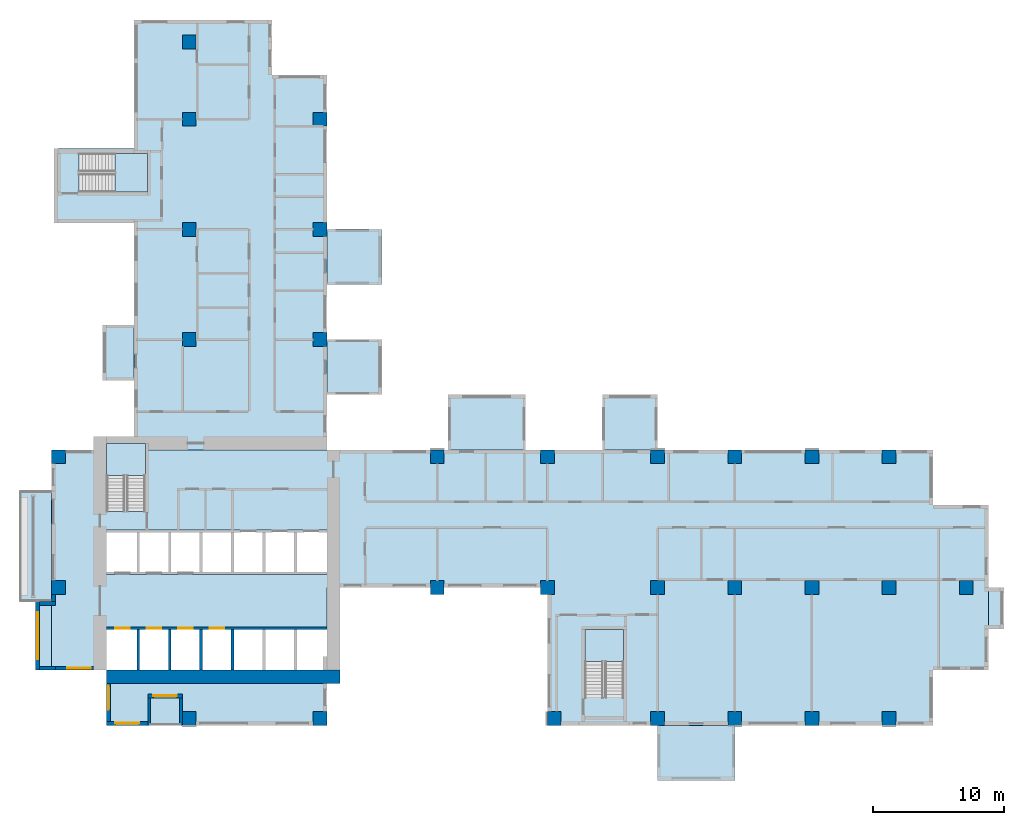
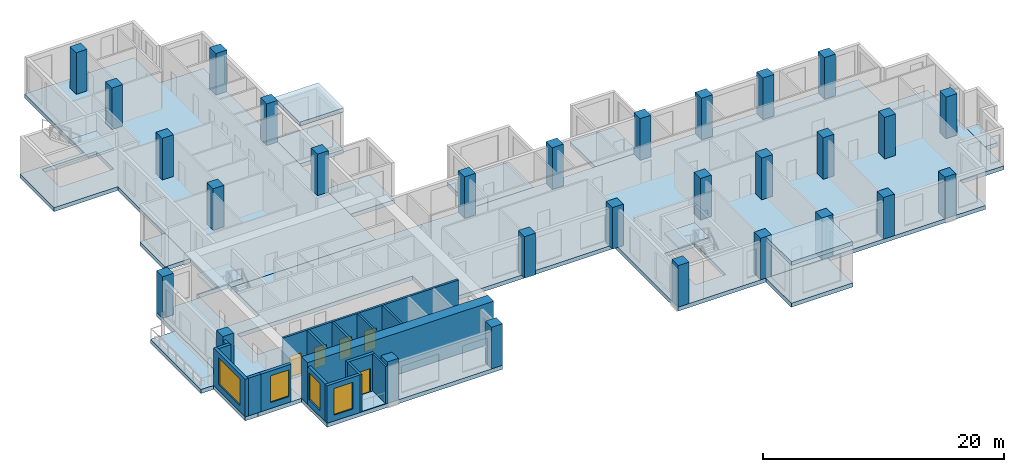
# One storey, part 1 of 14: 29 columns, 17 slabs, 16 walls, 5 doors, 4 windows, 9 openings, 3 elements without a shape of their own.
"""IFC4 building model written with IfcOpenShell, lengths in metres."""

from ifc_helpers import new_model, si_unit, direction, frame, frame_2d, origin, origin_2d, place, context, subcontext, project, spatial, polyline, rectangle, outline, extrude, source, transform, mapped, material, layer, layer_set, material_profile, profile_set, type_object, element, fill, aggregate, save


model = new_model("IFC4")

# Units and contexts
model_context = context("Model", 3, precision=1e-05, world=origin(), true_north=direction((0.0, 1.0)))
body_context = subcontext(model_context, "Body", "Model", "MODEL_VIEW")
ifc_project = project(units=[si_unit("LENGTHUNIT", "METRE"), si_unit("AREAUNIT", "SQUARE_METRE"), si_unit("VOLUMEUNIT", "CUBIC_METRE"), si_unit("PLANEANGLEUNIT", "RADIAN"), si_unit("MASSUNIT", "GRAM", prefix="KILO")], contexts=[model_context])

# Site, building, storey
site_placement = place(None, origin())
site = spatial("IfcSite", under=ifc_project, at=site_placement, CompositionType="ELEMENT")
building_placement = place(site_placement, origin())
building = spatial("IfcBuilding", under=site, at=building_placement, Name="Aurelian Terraces", CompositionType="ELEMENT")
storey_placement = place(building_placement, frame((0.0, 0.0, 149.7)))
storey = spatial("IfcBuildingStorey", under=building, at=storey_placement, Name="L33", CompositionType="ELEMENT", Elevation=149.7)

# Columns
ifc_material_1 = material(Name="Concrete fc' 83 MPa", Category="concrete")
ifc_material_profile = material_profile(ifc_material_1, rectangle(XDim=1.05, YDim=1.05, at=origin_2d()))
ifc_profile_set = profile_set([ifc_material_profile], Name="Concrete fc' 83 MPa")
column_type = type_object("IfcColumnType", Name="RC COLUMN 1050X1050 FC83", PredefinedType="COLUMN", material=ifc_profile_set)
shared_shape_1 = source(origin(), body_context, "Body", "SweptSolid", [
    extrude(rectangle(XDim=1.05, YDim=1.05, at=origin_2d()), origin(), (0.0, 0.0, 1.0), 4.2),
])
for number, where, z_axis, x_axis, name in (
    (1, (10.5, 0.525, 0.0), (0.0, 0.0, 1.0), (1.0, 0.0, 0.0), "Column 2/A L33"),
    (2, (20.475, 0.525, 0.0), (0.0, 0.0, 1.0), (1.0, 0.0, 0.0), "Column 3/A L33"),
    (3, (38.325, 0.525, 0.0), (0.0, 0.0, 1.0), (1.0, 0.0, 0.0), "Column 5/A L33"),
    (4, (46.2, 0.525, 0.0), (0.0, 0.0, 1.0), (1.0, 0.0, 0.0), "Column 6/A L33"),
    (5, (52.08, 0.525, 0.0), (0.0, 0.0, 1.0), (1.0, 0.0, 0.0), "Column 7/A L33"),
    (6, (57.96, 0.525, 0.0), (0.0, 0.0, 1.0), (1.0, 0.0, 0.0), "Column 8/A L33"),
    (7, (63.84, 0.525, 0.0), (0.0, 0.0, 1.0), (1.0, 0.0, 0.0), "Column 9/A L33"),
    (8, (0.525, 10.5, 0.0), (0.0, 0.0, 1.0), (1.0, 0.0, 0.0), "Column 1/B L33"),
    (9, (29.4, 10.5, 0.0), (0.0, 0.0, 1.0), (1.0, 0.0, 0.0), "Column 4/B L33"),
    (10, (37.8, 10.5, 0.0), (0.0, 0.0, 1.0), (1.0, 0.0, 0.0), "Column 5/B L33"),
    (11, (46.2, 10.5, 0.0), (0.0, 0.0, 1.0), (1.0, 0.0, 0.0), "Column 6/B L33"),
    (12, (52.08, 10.5, 0.0), (0.0, 0.0, 1.0), (1.0, 0.0, 0.0), "Column 7/B L33"),
    (13, (57.96, 10.5, 0.0), (0.0, 0.0, 1.0), (1.0, 0.0, 0.0), "Column 8/B L33"),
    (14, (63.84, 10.5, 0.0), (0.0, 0.0, 1.0), (1.0, 0.0, 0.0), "Column 9/B L33"),
    (15, (69.72, 10.5, 0.0), (0.0, 0.0, 1.0), (1.0, 0.0, 0.0), "Column 10/B L33"),
    (16, (0.525, 20.475, 0.0), (0.0, 0.0, 1.0), (1.0, 0.0, 0.0), "Column 1/C L33"),
    (17, (29.4, 20.475, 0.0), (0.0, 0.0, 1.0), (1.0, 0.0, 0.0), "Column 4/C L33"),
    (18, (37.8, 20.475, 0.0), (0.0, 0.0, 1.0), (1.0, 0.0, 0.0), "Column 5/C L33"),
    (19, (46.2, 20.475, 0.0), (0.0, 0.0, 1.0), (1.0, 0.0, 0.0), "Column 6/C L33"),
    (20, (52.08, 20.475, 0.0), (0.0, 0.0, 1.0), (1.0, 0.0, 0.0), "Column 7/C L33"),
    (21, (57.96, 20.475, 0.0), (0.0, 0.0, 1.0), (1.0, 0.0, 0.0), "Column 8/C L33"),
    (22, (63.84, 20.475, 0.0), (0.0, 0.0, 1.0), (1.0, 0.0, 0.0), "Column 9/C L33"),
    (23, (10.5, 29.4, 0.0), (0.0, 0.0, 1.0), (1.0, 0.0, 0.0), "Column 2/D L33"),
    (24, (20.475, 29.4, 0.0), (0.0, 0.0, 1.0), (1.0, 0.0, 0.0), "Column 3/D L33"),
    (25, (10.5, 37.8, 0.0), (0.0, 0.0, 1.0), (1.0, 0.0, 0.0), "Column 2/E L33"),
    (26, (20.475, 37.8, 0.0), (0.0, 0.0, 1.0), (1.0, 0.0, 0.0), "Column 3/E L33"),
    (27, (10.5, 46.2, 0.0), (0.0, 0.0, 1.0), (1.0, 0.0, 0.0), "Column 2/F L33"),
    (28, (20.475, 46.2, 0.0), (0.0, 0.0, 1.0), (1.0, 0.0, 0.0), "Column 3/F L33"),
    (29, (10.5, 52.08, 0.0), (0.0, 0.0, 1.0), (1.0, 0.0, 0.0), "Column 2/G L33"),
):
    element("IfcColumn", number, at=place(storey_placement, frame(where, z_axis=z_axis, x_axis=x_axis)), inside=storey, type_object=column_type, Name=name, PredefinedType="COLUMN", context=body_context, shape_type="MappedRepresentation", body=[
        mapped(shared_shape_1, transform((0.0, 0.0, 0.0), scale=1.0)),
    ])

# Slabs
ifc_material_2 = material(Name="Concrete fc' 40 MPa", Category="concrete")
ifc_layer_1 = layer(ifc_material_2, 0.41)
ifc_layer_set_1 = layer_set([ifc_layer_1], Name="Box floor 410")
slab_type_1 = type_object("IfcSlabType", Name="Box floor 410", PredefinedType="NOTDEFINED", material=ifc_layer_set_1)
slab_1_placement = place(storey_placement, frame((0.0, 0.0, -0.41)))
element("IfcSlab", 30, at=slab_1_placement, inside=storey, type_object=slab_type_1, Name="Box floor L33 J50", PredefinedType="NOTDEFINED", context=body_context, shape_type="SweptSolid", body=[
    extrude(outline(polyline([(3.9, 30.5), (3.9, 26.3), (6.3, 26.3), (6.3, 30.5), (3.9, 30.5)])), origin(), (0.0, 0.0, 1.0), 0.41),
])
ifc_layer_2 = layer(ifc_material_2, 0.4)
ifc_layer_set_2 = layer_set([ifc_layer_2], Name="PT FLAT PLATE 400")
slab_type_2 = type_object("IfcSlabType", Name="PT FLAT PLATE 400", PredefinedType="FLOOR", material=ifc_layer_set_2)
shared_shape_2 = source(origin(), body_context, "Body", "SweptSolid", [
    extrude(outline(polyline([(71.4, 16.8), (71.4, 4.2), (67.2, 4.2), (67.2, 0.0), (37.8, 0.0), (37.8, 10.5), (21.0, 10.5), (21.0, 0.0), (4.2, 0.0), (4.2, 4.2), (0.0, 4.2), (0.0, 21.0), (4.21, 21.0), (4.21, 16.31), (7.14, 16.31), (7.14, 21.0), (21.0, 21.0), (67.2, 21.0), (67.2, 16.8), (71.4, 16.8)]), holes=[polyline([(40.66, 2.11), (43.59, 2.11), (43.59, 7.29), (40.66, 7.29), (40.66, 2.11)]), polyline([(4.21, 7.49), (4.21, 4.21), (20.99, 4.21), (20.99, 7.49), (4.21, 7.49)]), polyline([(4.21, 14.89), (4.21, 11.51), (20.99, 11.51), (20.99, 14.89), (4.21, 14.89)])]), origin(), (0.0, 0.0, 1.0), 0.4),
])
slab_2_placement = place(storey_placement, frame((0.0, 0.0, -0.4)))
element("IfcSlab", 31, at=slab_2_placement, inside=storey, type_object=slab_type_2, Name="Floor slab S L33", PredefinedType="FLOOR", context=body_context, shape_type="MappedRepresentation", body=[
    mapped(shared_shape_2, transform((0.0, 0.0, 0.0), scale=1.0)),
])
shared_shape_3 = source(origin(), body_context, "Body", "SweptSolid", [
    extrude(outline(polyline([(0.2, 43.95), (6.3, 43.95), (6.3, 49.56), (6.3, 53.76), (10.5, 53.76), (16.8, 53.76), (16.8, 49.56), (21.0, 49.56), (21.0, 21.0), (7.14, 21.0), (7.14, 21.49), (4.21, 21.49), (4.21, 21.0), (4.2, 21.0), (4.2, 21.6), (6.3, 21.6), (6.3, 38.3), (0.2, 38.3), (0.2, 43.95)]), holes=[polyline([(7.29, 43.59), (2.11, 43.59), (2.11, 40.66), (7.29, 40.66), (7.29, 43.59)])]), origin(), (0.0, 0.0, 1.0), 0.4),
])
slab_3_placement = place(storey_placement, frame((0.0, 0.0, -0.4)))
element("IfcSlab", 32, at=slab_3_placement, inside=storey, type_object=slab_type_2, Name="Floor slab W L33", PredefinedType="FLOOR", context=body_context, shape_type="MappedRepresentation", body=[
    mapped(shared_shape_3, transform((0.0, 0.0, 0.0), scale=1.0)),
])
shared_shape_4 = source(origin(), body_context, "Body", "SweptSolid", [
    extrude(outline(polyline([(46.2, -4.2), (52.08, -4.2), (52.08, 0.0), (46.2, 0.0), (46.2, -4.2)])), origin(), (0.0, 0.0, 1.0), 0.41),
])
slab_4_placement = place(storey_placement, frame((0.0, 0.0, -0.41)))
element("IfcSlab", 33, at=slab_4_placement, inside=storey, type_object=slab_type_1, Name="Box floor L33 J45", PredefinedType="NOTDEFINED", context=body_context, shape_type="MappedRepresentation", body=[
    mapped(shared_shape_4, transform((0.0, 0.0, 0.0), scale=1.0)),
])
ifc_layer_3 = layer(ifc_material_2, 0.4)
ifc_layer_set_3 = layer_set([ifc_layer_3], Name="Bay floor 400")
slab_type_3 = type_object("IfcSlabType", Name="Bay floor 400", PredefinedType="NOTDEFINED", material=ifc_layer_set_3)
shared_shape_5 = source(origin(), body_context, "Body", "SweptSolid", [
    extrude(outline(polyline([(71.4, 7.35), (71.4, 10.5), (72.6, 10.5), (72.6, 7.35), (71.4, 7.35)])), origin(), (0.0, 0.0, 1.0), 0.4),
])
slab_5_placement = place(storey_placement, frame((0.0, 0.0, -0.4)))
element("IfcSlab", 34, at=slab_5_placement, inside=storey, type_object=slab_type_3, Name="Bay floor L33 F08.18", PredefinedType="NOTDEFINED", context=body_context, shape_type="MappedRepresentation", body=[
    mapped(shared_shape_5, transform((0.0, 0.0, 0.0), scale=1.0)),
])
shared_shape_6 = source(origin(), body_context, "Body", "SweptSolid", [
    extrude(outline(polyline([(36.12, 25.2), (30.24, 25.2), (30.24, 21.0), (36.12, 21.0), (36.12, 25.2)])), origin(), (0.0, 0.0, 1.0), 0.41),
])
slab_6_placement = place(storey_placement, frame((0.0, 0.0, -0.41)))
element("IfcSlab", 35, at=slab_6_placement, inside=storey, type_object=slab_type_1, Name="Box floor L33 J47", PredefinedType="NOTDEFINED", context=body_context, shape_type="MappedRepresentation", body=[
    mapped(shared_shape_6, transform((0.0, 0.0, 0.0), scale=1.0)),
])
ifc_layer_4 = layer(ifc_material_2, 0.4)
ifc_layer_set_4 = layer_set([ifc_layer_4], Name="Box roof 400")
slab_type_4 = type_object("IfcSlabType", Name="Box roof 400", PredefinedType="ROOF", material=ifc_layer_set_4)
shared_shape_7 = source(origin(), body_context, "Body", "SweptSolid", [
    extrude(outline(polyline([(46.2, -4.2), (52.08, -4.2), (52.08, 0.0), (46.2, 0.0), (46.2, -4.2)])), origin(), (0.0, 0.0, 1.0), 0.4),
])
slab_7_placement = place(storey_placement, frame((0.0, 0.0, 3.8)))
element("IfcSlab", 36, at=slab_7_placement, inside=storey, type_object=slab_type_4, Name="Box roof J45", PredefinedType="ROOF", context=body_context, shape_type="MappedRepresentation", body=[
    mapped(shared_shape_7, transform((0.0, 0.0, 0.0), scale=1.0)),
])
shared_shape_8 = source(origin(), body_context, "Body", "SweptSolid", [
    extrude(outline(polyline([(25.2, 25.2), (25.2, 29.4), (21.0, 29.4), (21.0, 25.2), (25.2, 25.2)])), origin(), (0.0, 0.0, 1.0), 0.41),
])
slab_8_placement = place(storey_placement, frame((0.0, 0.0, -0.41)))
element("IfcSlab", 37, at=slab_8_placement, inside=storey, type_object=slab_type_1, Name="Box floor L33 J49", PredefinedType="NOTDEFINED", context=body_context, shape_type="MappedRepresentation", body=[
    mapped(shared_shape_8, transform((0.0, 0.0, 0.0), scale=1.0)),
])
shared_shape_9 = source(origin(), body_context, "Body", "SweptSolid", [
    extrude(outline(polyline([(25.2, 33.6), (25.2, 37.8), (21.0, 37.8), (21.0, 33.6), (25.2, 33.6)])), origin(), (0.0, 0.0, 1.0), 0.41),
])
slab_9_placement = place(storey_placement, frame((0.0, 0.0, -0.41)))
element("IfcSlab", 38, at=slab_9_placement, inside=storey, type_object=slab_type_1, Name="Box floor L33 J46", PredefinedType="NOTDEFINED", context=body_context, shape_type="MappedRepresentation", body=[
    mapped(shared_shape_9, transform((0.0, 0.0, 0.0), scale=1.0)),
])
shared_shape_10 = source(origin(), body_context, "Body", "SweptSolid", [
    extrude(outline(polyline([(46.2, 25.2), (42.0, 25.2), (42.0, 21.0), (46.2, 21.0), (46.2, 25.2)])), origin(), (0.0, 0.0, 1.0), 0.41),
])
slab_10_placement = place(storey_placement, frame((0.0, 0.0, -0.41)))
element("IfcSlab", 39, at=slab_10_placement, inside=storey, type_object=slab_type_1, Name="Box floor L33 J48", PredefinedType="NOTDEFINED", context=body_context, shape_type="MappedRepresentation", body=[
    mapped(shared_shape_10, transform((0.0, 0.0, 0.0), scale=1.0)),
])
shared_shape_11 = source(origin(), body_context, "Body", "SweptSolid", [
    extrude(outline(polyline([(25.2, 33.6), (25.2, 37.8), (21.0, 37.8), (21.0, 33.6), (25.2, 33.6)])), origin(), (0.0, 0.0, 1.0), 0.4),
])
slab_11_placement = place(storey_placement, frame((0.0, 0.0, 3.8)))
element("IfcSlab", 40, at=slab_11_placement, inside=storey, type_object=slab_type_4, Name="Box roof J46", PredefinedType="ROOF", context=body_context, shape_type="MappedRepresentation", body=[
    mapped(shared_shape_11, transform((0.0, 0.0, 0.0), scale=1.0)),
])
ifc_layer_5 = layer(ifc_material_2, 0.4)
ifc_layer_set_5 = layer_set([ifc_layer_5], Name="Balcony slab 400")
slab_type_5 = type_object("IfcSlabType", Name="Balcony slab 400", PredefinedType="NOTDEFINED", material=ifc_layer_set_5)
shared_shape_12 = source(origin(), body_context, "Body", "SweptSolid", [
    extrude(outline(polyline([(0.0, 17.85), (0.0, 9.45), (-2.4, 9.45), (-2.4, 17.85), (0.0, 17.85)])), origin(), (0.0, 0.0, 1.0), 0.4),
])
slab_12_placement = place(storey_placement, frame((0.0, 0.0, -0.4)))
element("IfcSlab", 41, at=slab_12_placement, inside=storey, type_object=slab_type_5, Name="Balcony slab L33 F24.41", PredefinedType="NOTDEFINED", context=body_context, shape_type="MappedRepresentation", body=[
    mapped(shared_shape_12, transform((0.0, 0.0, 0.0), scale=1.0)),
])
shared_shape_13 = source(origin(), body_context, "Body", "SweptSolid", [
    extrude(outline(polyline([(0.0, 9.45), (0.0, 4.2), (-1.2, 4.2), (-1.2, 9.45), (0.0, 9.45)])), origin(), (0.0, 0.0, 1.0), 0.4),
])
slab_13_placement = place(storey_placement, frame((0.0, 0.0, -0.4)))
element("IfcSlab", 42, at=slab_13_placement, inside=storey, type_object=slab_type_3, Name="Bay floor L33 F24.42", PredefinedType="NOTDEFINED", context=body_context, shape_type="MappedRepresentation", body=[
    mapped(shared_shape_13, transform((0.0, 0.0, 0.0), scale=1.0)),
])
ifc_material_3 = material(Name="Granite paving", Category="masonry")
ifc_layer_6 = layer(ifc_material_3, 0.05)
ifc_layer_set_6 = layer_set([ifc_layer_6], Name="Loggia paving 50")
slab_type_6 = type_object("IfcSlabType", Name="Loggia paving 50", PredefinedType="NOTDEFINED", material=ifc_layer_set_6)
shared_shape_14 = source(origin(), body_context, "Body", "SweptSolid", [
    extrude(outline(polyline([(7.55, 0.0), (9.775, 0.0), (9.775, 2.1), (7.55, 2.1), (7.55, 0.0)])), origin(), (0.0, 0.0, 1.0), 0.05),
])
slab_14_placement = place(storey_placement, origin())
element("IfcSlab", 43, at=slab_14_placement, inside=storey, type_object=slab_type_6, Name="Loggia floor L33 F01.2", PredefinedType="NOTDEFINED", context=body_context, shape_type="MappedRepresentation", body=[
    mapped(shared_shape_14, transform((0.0, 0.0, 0.0), scale=1.0)),
])

# Stair, slab
stair_type = type_object("IfcStairType", Name="Stair 1400", PredefinedType="HALF_TURN_STAIR", material=ifc_material_2)
stair_1_placement = place(storey_placement, origin())
stair_1 = element("IfcStair", 44, at=stair_1_placement, inside=storey, type_object=stair_type, Name="L33 S1", PredefinedType="HALF_TURN_STAIR")
ifc_layer_7 = layer(ifc_material_2, 0.2)
ifc_layer_set_7 = layer_set([ifc_layer_7], Name="Stair landing 200")
slab_type_7 = type_object("IfcSlabType", Name="Stair landing 200", PredefinedType="LANDING", material=ifc_layer_set_7)
shared_shape_15 = source(origin(), body_context, "Body", "SweptSolid", [
    extrude(outline(polyline([(7.15, 19.05), (7.15, 21.5), (4.2, 21.5), (4.2, 19.05), (7.15, 19.05)])), origin(), (0.0, 0.0, 1.0), 0.2),
])
slab_15_placement = place(storey_placement, frame((0.0, 0.0, 1.9)))
slab_15 = element("IfcSlab", 45, at=slab_15_placement, type_object=slab_type_7, Name="S1 landing 1", PredefinedType="LANDING", context=body_context, shape_type="MappedRepresentation", body=[
    mapped(shared_shape_15, transform((0.0, 0.0, 0.0), scale=1.0)),
])
aggregate(stair_1, [slab_15])

stair_2_placement = place(storey_placement, origin())
stair_2 = element("IfcStair", 46, at=stair_2_placement, inside=storey, type_object=stair_type, Name="L33 S2", PredefinedType="HALF_TURN_STAIR")
shared_shape_16 = source(origin(), body_context, "Body", "SweptSolid", [
    extrude(outline(polyline([(43.6, 4.85), (43.6, 7.3), (40.65, 7.3), (40.65, 4.85), (43.6, 4.85)])), origin(), (0.0, 0.0, 1.0), 0.2),
])
slab_16_placement = place(storey_placement, frame((0.0, 0.0, 1.9)))
slab_16 = element("IfcSlab", 47, at=slab_16_placement, type_object=slab_type_7, Name="S2 landing 1", PredefinedType="LANDING", context=body_context, shape_type="MappedRepresentation", body=[
    mapped(shared_shape_16, transform((0.0, 0.0, 0.0), scale=1.0)),
])
aggregate(stair_2, [slab_16])

stair_3_placement = place(storey_placement, origin())
stair_3 = element("IfcStair", 48, at=stair_3_placement, inside=storey, type_object=stair_type, Name="L33 S3", PredefinedType="HALF_TURN_STAIR")
shared_shape_17 = source(origin(), body_context, "Body", "SweptSolid", [
    extrude(outline(polyline([(4.85, 40.65), (7.3, 40.65), (7.3, 43.6), (4.85, 43.6), (4.85, 40.65)])), origin(), (0.0, 0.0, 1.0), 0.2),
])
slab_17_placement = place(storey_placement, frame((0.0, 0.0, 1.9)))
slab_17 = element("IfcSlab", 49, at=slab_17_placement, type_object=slab_type_7, Name="S3 landing 1", PredefinedType="LANDING", context=body_context, shape_type="MappedRepresentation", body=[
    mapped(shared_shape_17, transform((0.0, 0.0, 0.0), scale=1.0)),
])
aggregate(stair_3, [slab_17])

# Wall
ifc_layer_8 = layer(ifc_material_1, 1.0)
ifc_layer_set_8 = layer_set([ifc_layer_8], Name="CORE WALL 1000 FC83")
wall_type_1 = type_object("IfcWallType", Name="CORE WALL 1000 FC83", PredefinedType="SHEAR", material=ifc_layer_set_8)
shared_shape_18 = source(origin(), body_context, "Body", "SweptSolid", [
    extrude(rectangle(XDim=17.8, YDim=1.0, at=frame_2d((8.9, 0.0))), origin(), (0.0, 0.0, 1.0), 4.2),
])
wall_1_placement = place(storey_placement, frame((4.2, 3.7, 0.0), z_axis=(0.0, 0.0, 1.0), x_axis=(1.0, 0.0, 0.0)))
element("IfcWall", 50, at=wall_1_placement, inside=storey, type_object=wall_type_1, Name="Core wall S L33", PredefinedType="SHEAR", context=body_context, shape_type="MappedRepresentation", body=[
    mapped(shared_shape_18, transform((0.0, 0.0, 0.0), scale=1.0)),
])

# Wall, opening, window
ifc_material_4 = material(Name="Terracotta rainscreen cladding", Category="masonry")
ifc_layer_9 = layer(ifc_material_4, 0.3)
ifc_layer_set_9 = layer_set([ifc_layer_9], Name="EW-300")
wall_type_2 = type_object("IfcWallType", Name="EW-300", PredefinedType="STANDARD", material=ifc_layer_set_9)
shared_shape_19 = source(origin(), body_context, "Body", "SweptSolid", [
    extrude(rectangle(XDim=3.15, YDim=0.3, at=frame_2d((1.575, 0.0))), origin(), (0.0, 0.0, 1.0), 3.8),
])
wall_2_placement = place(storey_placement, frame((4.2, 0.15, 0.0), z_axis=(0.0, 0.0, 1.0), x_axis=(1.0, 0.0, 0.0)))
wall_2 = element("IfcWall", 51, at=wall_2_placement, inside=storey, type_object=wall_type_2, Name="External wall L33 F01.1", PredefinedType="STANDARD", context=body_context, shape_type="MappedRepresentation", body=[
    mapped(shared_shape_19, transform((0.0, 0.0, 0.0), scale=1.0)),
])
shared_shape_20 = source(origin(), body_context, "Body", "SweptSolid", [
    extrude(rectangle(XDim=1.8, YDim=2.7, at=frame_2d((0.9, 1.35))), frame((0.0, 0.16, 0.0), z_axis=(0.0, -1.0, 0.0), x_axis=(1.0, 0.0, 0.0)), (0.0, 0.0, 1.0), 0.32),
])
opening_1_placement = place(wall_2_placement, frame((0.675, 0.0, 0.6)))
opening_1 = element("IfcOpeningElement", 52, at=opening_1_placement, cuts=wall_2, Name="Opening W1827", PredefinedType="OPENING", context=body_context, shape_type="MappedRepresentation", body=[
    mapped(shared_shape_20, transform((0.0, 0.0, 0.0), scale=1.0)),
])
ifc_material_5 = material(Name="Clear glazing", Category="glass")
window_type_1 = type_object("IfcWindowType", Name="W-1800x2700", PartitioningType="SINGLE_PANEL", PredefinedType="WINDOW", material=ifc_material_5)
shared_shape_21 = source(origin(), body_context, "Body", "SweptSolid", [
    extrude(rectangle(XDim=1.8, YDim=2.7, at=frame_2d((0.9, 1.35))), frame((0.0, 0.03, 0.0), z_axis=(0.0, -1.0, 0.0), x_axis=(1.0, 0.0, 0.0)), (0.0, 0.0, 1.0), 0.06),
])
window_1_placement = place(opening_1_placement, origin())
window_1 = element("IfcWindow", 53, at=window_1_placement, inside=storey, type_object=window_type_1, Name="Window L33 L33-F01-01-0", OverallHeight=2.7, OverallWidth=1.8, PartitioningType="SINGLE_PANEL", PredefinedType="WINDOW", context=body_context, shape_type="MappedRepresentation", body=[
    mapped(shared_shape_21, transform((0.0, 0.0, 0.0), scale=1.0)),
])
fill(opening_1, window_1)

# Walls
shared_shape_22 = source(origin(), body_context, "Body", "SweptSolid", [
    extrude(rectangle(XDim=1.2, YDim=0.3, at=frame_2d((0.6, 0.0))), origin(), (0.0, 0.0, 1.0), 3.8),
])
for number, where, z_axis, x_axis, name in (
    (54, (0.3, 9.3, 0.0), (0.0, 0.0, 1.0), (-1.0, 0.0, 0.0), "Bay return L33 F24.42.1"),
    (55, (0.3, 4.35, 0.0), (0.0, 0.0, 1.0), (-1.0, 0.0, 0.0), "Bay return L33 F24.42.2"),
):
    element("IfcWall", number, at=place(storey_placement, frame(where, z_axis=z_axis, x_axis=x_axis)), inside=storey, type_object=wall_type_2, Name=name, PredefinedType="STANDARD", context=body_context, shape_type="MappedRepresentation", body=[
        mapped(shared_shape_22, transform((0.0, 0.0, 0.0), scale=1.0)),
    ])
ifc_layer_10 = layer(ifc_material_4, 0.2)
ifc_layer_set_10 = layer_set([ifc_layer_10], Name="EW-200")
wall_type_3 = type_object("IfcWallType", Name="EW-200", PredefinedType="STANDARD", material=ifc_layer_set_10)
shared_shape_23 = source(origin(), body_context, "Body", "SweptSolid", [
    extrude(rectangle(XDim=2.1, YDim=0.2, at=frame_2d((1.05, 0.0))), origin(), (0.0, 0.0, 1.0), 3.8),
])
for number, where, z_axis, x_axis, name in (
    (56, (7.45, 0.0, 0.0), (0.0, 0.0, 1.0), (0.0, 1.0, 0.0), "Loggia return L33 F01.2.1"),
    (57, (9.875, 0.0, 0.0), (0.0, 0.0, 1.0), (0.0, 1.0, 0.0), "Loggia return L33 F01.2.2"),
):
    element("IfcWall", number, at=place(storey_placement, frame(where, z_axis=z_axis, x_axis=x_axis)), inside=storey, type_object=wall_type_3, Name=name, PredefinedType="STANDARD", context=body_context, shape_type="MappedRepresentation", body=[
        mapped(shared_shape_23, transform((0.0, 0.0, 0.0), scale=1.0)),
    ])

# Wall, opening, window
shared_shape_24 = source(origin(), body_context, "Body", "SweptSolid", [
    extrude(rectangle(XDim=3.2, YDim=0.3, at=frame_2d((1.6, 0.0))), origin(), (0.0, 0.0, 1.0), 3.8),
])
wall_3_placement = place(storey_placement, frame((0.0, 4.35, 0.0), z_axis=(0.0, 0.0, 1.0), x_axis=(1.0, 0.0, 0.0)))
wall_3 = element("IfcWall", 58, at=wall_3_placement, inside=storey, type_object=wall_type_2, Name="External wall L33 F25.43", PredefinedType="STANDARD", context=body_context, shape_type="MappedRepresentation", body=[
    mapped(shared_shape_24, transform((0.0, 0.0, 0.0), scale=1.0)),
])
opening_2_placement = place(wall_3_placement, frame((1.2, 0.0, 0.6)))
opening_2 = element("IfcOpeningElement", 59, at=opening_2_placement, cuts=wall_3, Name="Opening W1827", PredefinedType="OPENING", context=body_context, shape_type="MappedRepresentation", body=[
    mapped(shared_shape_20, transform((0.0, 0.0, 0.0), scale=1.0)),
])
window_2_placement = place(opening_2_placement, origin())
window_2 = element("IfcWindow", 60, at=window_2_placement, inside=storey, type_object=window_type_1, Name="Window L33 L33-F25-43-0", OverallHeight=2.7, OverallWidth=1.8, PartitioningType="SINGLE_PANEL", PredefinedType="WINDOW", context=body_context, shape_type="MappedRepresentation", body=[
    mapped(shared_shape_21, transform((0.0, 0.0, 0.0), scale=1.0)),
])
fill(opening_2, window_2)

wall_4_placement = place(storey_placement, frame((4.35, 3.2, 0.0), z_axis=(0.0, 0.0, 1.0), x_axis=(0.0, -1.0, 0.0)))
wall_4 = element("IfcWall", 61, at=wall_4_placement, inside=storey, type_object=wall_type_2, Name="External wall L33 F26.44", PredefinedType="STANDARD", context=body_context, shape_type="MappedRepresentation", body=[
    mapped(shared_shape_24, transform((0.0, 0.0, 0.0), scale=1.0)),
])
opening_3_placement = place(wall_4_placement, frame((0.2, 0.0, 0.6)))
opening_3 = element("IfcOpeningElement", 62, at=opening_3_placement, cuts=wall_4, Name="Opening W1827", PredefinedType="OPENING", context=body_context, shape_type="MappedRepresentation", body=[
    mapped(shared_shape_20, transform((0.0, 0.0, 0.0), scale=1.0)),
])
window_3_placement = place(opening_3_placement, origin())
window_3 = element("IfcWindow", 63, at=window_3_placement, inside=storey, type_object=window_type_1, Name="Window L33 L33-F26-44-0", OverallHeight=2.7, OverallWidth=1.8, PartitioningType="SINGLE_PANEL", PredefinedType="WINDOW", context=body_context, shape_type="MappedRepresentation", body=[
    mapped(shared_shape_21, transform((0.0, 0.0, 0.0), scale=1.0)),
])
fill(opening_3, window_3)

shared_shape_25 = source(origin(), body_context, "Body", "SweptSolid", [
    extrude(rectangle(XDim=5.25, YDim=0.3, at=frame_2d((2.625, 0.0))), origin(), (0.0, 0.0, 1.0), 3.8),
])
wall_5_placement = place(storey_placement, frame((-1.05, 9.45, 0.0), z_axis=(0.0, 0.0, 1.0), x_axis=(0.0, -1.0, 0.0)))
wall_5 = element("IfcWall", 64, at=wall_5_placement, inside=storey, type_object=wall_type_2, Name="Bay wall L33 F24.42", PredefinedType="STANDARD", context=body_context, shape_type="MappedRepresentation", body=[
    mapped(shared_shape_25, transform((0.0, 0.0, 0.0), scale=1.0)),
])
shared_shape_26 = source(origin(), body_context, "Body", "SweptSolid", [
    extrude(rectangle(XDim=3.6, YDim=2.7, at=frame_2d((1.8, 1.35))), frame((0.0, 0.16, 0.0), z_axis=(0.0, -1.0, 0.0), x_axis=(1.0, 0.0, 0.0)), (0.0, 0.0, 1.0), 0.32),
])
opening_4_placement = place(wall_5_placement, frame((0.825, 0.0, 0.6)))
opening_4 = element("IfcOpeningElement", 65, at=opening_4_placement, cuts=wall_5, Name="Opening W3627", PredefinedType="OPENING", context=body_context, shape_type="MappedRepresentation", body=[
    mapped(shared_shape_26, transform((0.0, 0.0, 0.0), scale=1.0)),
])
window_type_2 = type_object("IfcWindowType", Name="W-3600x2700", PartitioningType="SINGLE_PANEL", PredefinedType="WINDOW", material=ifc_material_5)
shared_shape_27 = source(origin(), body_context, "Body", "SweptSolid", [
    extrude(rectangle(XDim=3.6, YDim=2.7, at=frame_2d((1.8, 1.35))), frame((0.0, 0.03, 0.0), z_axis=(0.0, -1.0, 0.0), x_axis=(1.0, 0.0, 0.0)), (0.0, 0.0, 1.0), 0.06),
])
window_4_placement = place(opening_4_placement, origin())
window_4 = element("IfcWindow", 66, at=window_4_placement, inside=storey, type_object=window_type_2, Name="Window L33 L33-F24-42-0", OverallHeight=2.7, OverallWidth=3.6, PartitioningType="SINGLE_PANEL", PredefinedType="WINDOW", context=body_context, shape_type="MappedRepresentation", body=[
    mapped(shared_shape_27, transform((0.0, 0.0, 0.0), scale=1.0)),
])
fill(opening_4, window_4)

# Wall, opening, door
shared_shape_28 = source(origin(), body_context, "Body", "SweptSolid", [
    extrude(rectangle(XDim=2.625, YDim=0.3, at=frame_2d((1.3125, 0.0))), origin(), (0.0, 0.0, 1.0), 3.8),
])
wall_6_placement = place(storey_placement, frame((7.35, 2.25, 0.0), z_axis=(0.0, 0.0, 1.0), x_axis=(1.0, 0.0, 0.0)))
wall_6 = element("IfcWall", 67, at=wall_6_placement, inside=storey, type_object=wall_type_2, Name="Loggia wall L33 F01.2", PredefinedType="STANDARD", context=body_context, shape_type="MappedRepresentation", body=[
    mapped(shared_shape_28, transform((0.0, 0.0, 0.0), scale=1.0)),
])
shared_shape_29 = source(origin(), body_context, "Body", "SweptSolid", [
    extrude(rectangle(XDim=1.8, YDim=2.4, at=frame_2d((0.9, 1.2))), frame((0.0, 0.16, 0.0), z_axis=(0.0, -1.0, 0.0), x_axis=(1.0, 0.0, 0.0)), (0.0, 0.0, 1.0), 0.32),
])
opening_5_placement = place(wall_6_placement, frame((0.4125, 0.0, 0.0)))
opening_5 = element("IfcOpeningElement", 68, at=opening_5_placement, cuts=wall_6, Name="Opening 83301", PredefinedType="OPENING", context=body_context, shape_type="MappedRepresentation", body=[
    mapped(shared_shape_29, transform((0.0, 0.0, 0.0), scale=1.0)),
])
door_type_1 = type_object("IfcDoorType", Name="BD-1800x2400", OperationType="SLIDING_TO_LEFT", PredefinedType="DOOR", material=ifc_material_5)
shared_shape_30 = source(origin(), body_context, "Body", "SweptSolid", [
    extrude(rectangle(XDim=1.8, YDim=2.4, at=frame_2d((0.9, 1.2))), frame((0.0, 0.025, 0.0), z_axis=(0.0, -1.0, 0.0), x_axis=(1.0, 0.0, 0.0)), (0.0, 0.0, 1.0), 0.05),
])
door_1_placement = place(opening_5_placement, origin())
door_1 = element("IfcDoor", 69, at=door_1_placement, inside=storey, type_object=door_type_1, Name="Balcony door L33 F01.2", OperationType="SLIDING_TO_LEFT", OverallHeight=2.4, OverallWidth=1.8, PredefinedType="DOOR", context=body_context, shape_type="MappedRepresentation", body=[
    mapped(shared_shape_30, transform((0.0, 0.0, 0.0), scale=1.0)),
])
fill(opening_5, door_1)

# Walls
shared_shape_31 = source(origin(), body_context, "Body", "SweptSolid", [
    extrude(rectangle(XDim=0.525, YDim=0.3, at=frame_2d((0.2625, 0.0))), origin(), (0.0, 0.0, 1.0), 3.8),
])
wall_7_placement = place(storey_placement, frame((0.15, 9.975, 0.0), z_axis=(0.0, 0.0, 1.0), x_axis=(0.0, -1.0, 0.0)))
element("IfcWall", 70, at=wall_7_placement, inside=storey, type_object=wall_type_2, Name="External wall L33 F24.41", PredefinedType="STANDARD", context=body_context, shape_type="MappedRepresentation", body=[
    mapped(shared_shape_31, transform((0.0, 0.0, 0.0), scale=1.0)),
])
ifc_layer_11 = layer(ifc_material_2, 0.2)
ifc_layer_set_11 = layer_set([ifc_layer_11], Name="Lift shaft wall 200")
wall_type_4 = type_object("IfcWallType", Name="Lift shaft wall 200", PredefinedType="SOLIDWALL", material=ifc_layer_set_11)
shared_shape_32 = source(origin(), body_context, "Body", "SweptSolid", [
    extrude(rectangle(XDim=3.1, YDim=0.2, at=frame_2d((1.55, 0.0))), origin(), (0.0, 0.0, 1.0), 4.2),
])
for number, where, z_axis, x_axis, name in (
    (71, (6.6, 4.2, 0.0), (0.0, 0.0, 1.0), (0.0, 1.0, 0.0), "L33 core wall CD-A1"),
    (72, (9.0, 4.2, 0.0), (0.0, 0.0, 1.0), (0.0, 1.0, 0.0), "L33 core wall CD-A2"),
    (73, (11.4, 4.2, 0.0), (0.0, 0.0, 1.0), (0.0, 1.0, 0.0), "L33 core wall CD-A3"),
    (74, (13.8, 4.2, 0.0), (0.0, 0.0, 1.0), (0.0, 1.0, 0.0), "L33 core wall CD-A4"),
):
    element("IfcWall", number, at=place(storey_placement, frame(where, z_axis=z_axis, x_axis=x_axis)), inside=storey, type_object=wall_type_4, Name=name, PredefinedType="SOLIDWALL", context=body_context, shape_type="MappedRepresentation", body=[
        mapped(shared_shape_32, transform((0.0, 0.0, 0.0), scale=1.0)),
    ])

# Wall, openings, doors
shared_shape_33 = source(origin(), body_context, "Body", "SweptSolid", [
    extrude(rectangle(XDim=16.8, YDim=0.2, at=frame_2d((8.4, 0.0))), origin(), (0.0, 0.0, 1.0), 4.2),
])
wall_8_placement = place(storey_placement, frame((4.2, 7.4, 0.0), z_axis=(0.0, 0.0, 1.0), x_axis=(1.0, 0.0, 0.0)))
wall_8 = element("IfcWall", 75, at=wall_8_placement, inside=storey, type_object=wall_type_4, Name="L33 core wall CF-AF1", PredefinedType="SOLIDWALL", context=body_context, shape_type="MappedRepresentation", body=[
    mapped(shared_shape_33, transform((0.0, 0.0, 0.0), scale=1.0)),
])
shared_shape_34 = source(origin(), body_context, "Body", "SweptSolid", [
    extrude(rectangle(XDim=1.1, YDim=2.1, at=frame_2d((0.55, 1.05))), frame((0.0, 0.11, 0.0), z_axis=(0.0, -1.0, 0.0), x_axis=(1.0, 0.0, 0.0)), (0.0, 0.0, 1.0), 0.22),
])
opening_6_placement = place(wall_8_placement, frame((0.65, 0.0, 0.0)))
opening_6 = element("IfcOpeningElement", 76, at=opening_6_placement, cuts=wall_8, Name="Opening 63600", PredefinedType="OPENING", context=body_context, shape_type="MappedRepresentation", body=[
    mapped(shared_shape_34, transform((0.0, 0.0, 0.0), scale=1.0)),
])
opening_7_placement = place(wall_8_placement, frame((3.05, 0.0, 0.0)))
opening_7 = element("IfcOpeningElement", 77, at=opening_7_placement, cuts=wall_8, Name="Opening 63601", PredefinedType="OPENING", context=body_context, shape_type="MappedRepresentation", body=[
    mapped(shared_shape_34, transform((0.0, 0.0, 0.0), scale=1.0)),
])
opening_8_placement = place(wall_8_placement, frame((5.45, 0.0, 0.0)))
opening_8 = element("IfcOpeningElement", 78, at=opening_8_placement, cuts=wall_8, Name="Opening 63602", PredefinedType="OPENING", context=body_context, shape_type="MappedRepresentation", body=[
    mapped(shared_shape_34, transform((0.0, 0.0, 0.0), scale=1.0)),
])
opening_9_placement = place(wall_8_placement, frame((7.85, 0.0, 0.0)))
opening_9 = element("IfcOpeningElement", 79, at=opening_9_placement, cuts=wall_8, Name="Opening 63603", PredefinedType="OPENING", context=body_context, shape_type="MappedRepresentation", body=[
    mapped(shared_shape_34, transform((0.0, 0.0, 0.0), scale=1.0)),
])
ifc_material_6 = material(Name="Stainless steel", Category="steel")
door_type_2 = type_object("IfcDoorType", Name="Lift landing door 1100x2100", OperationType="SLIDING_TO_LEFT", PredefinedType="DOOR", material=ifc_material_6)
shared_shape_35 = source(origin(), body_context, "Body", "SweptSolid", [
    extrude(rectangle(XDim=1.1, YDim=2.1, at=frame_2d((0.55, 1.05))), frame((0.0, 0.025, 0.0), z_axis=(0.0, -1.0, 0.0), x_axis=(1.0, 0.0, 0.0)), (0.0, 0.0, 1.0), 0.05),
])
door_2_placement = place(opening_6_placement, origin())
door_2 = element("IfcDoor", 80, at=door_2_placement, inside=storey, type_object=door_type_2, Name="Lift landing door LL1 L33", OperationType="SLIDING_TO_LEFT", OverallHeight=2.1, OverallWidth=1.1, PredefinedType="DOOR", context=body_context, shape_type="MappedRepresentation", body=[
    mapped(shared_shape_35, transform((0.0, 0.0, 0.0), scale=1.0)),
])
fill(opening_6, door_2)
door_3_placement = place(opening_7_placement, origin())
door_3 = element("IfcDoor", 81, at=door_3_placement, inside=storey, type_object=door_type_2, Name="Lift landing door LL2 L33", OperationType="SLIDING_TO_LEFT", OverallHeight=2.1, OverallWidth=1.1, PredefinedType="DOOR", context=body_context, shape_type="MappedRepresentation", body=[
    mapped(shared_shape_35, transform((0.0, 0.0, 0.0), scale=1.0)),
])
fill(opening_7, door_3)
door_4_placement = place(opening_8_placement, origin())
door_4 = element("IfcDoor", 82, at=door_4_placement, inside=storey, type_object=door_type_2, Name="Lift landing door LL3 L33", OperationType="SLIDING_TO_LEFT", OverallHeight=2.1, OverallWidth=1.1, PredefinedType="DOOR", context=body_context, shape_type="MappedRepresentation", body=[
    mapped(shared_shape_35, transform((0.0, 0.0, 0.0), scale=1.0)),
])
fill(opening_8, door_4)
door_5_placement = place(opening_9_placement, origin())
door_5 = element("IfcDoor", 83, at=door_5_placement, inside=storey, type_object=door_type_2, Name="Lift landing door LL4 L33", OperationType="SLIDING_TO_LEFT", OverallHeight=2.1, OverallWidth=1.1, PredefinedType="DOOR", context=body_context, shape_type="MappedRepresentation", body=[
    mapped(shared_shape_35, transform((0.0, 0.0, 0.0), scale=1.0)),
])
fill(opening_9, door_5)

save(model, "model.ifc")
